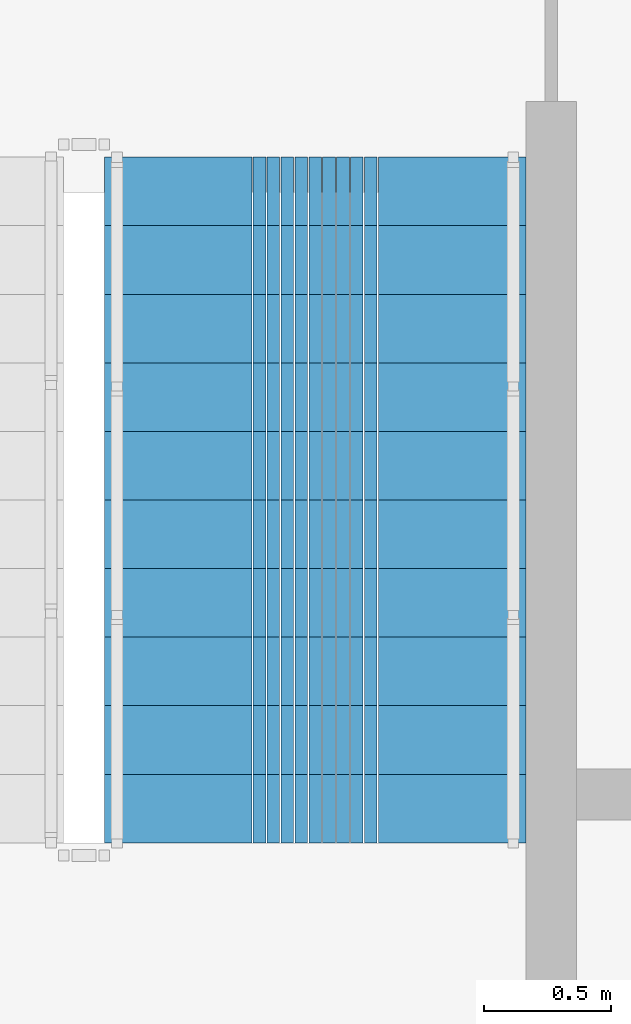
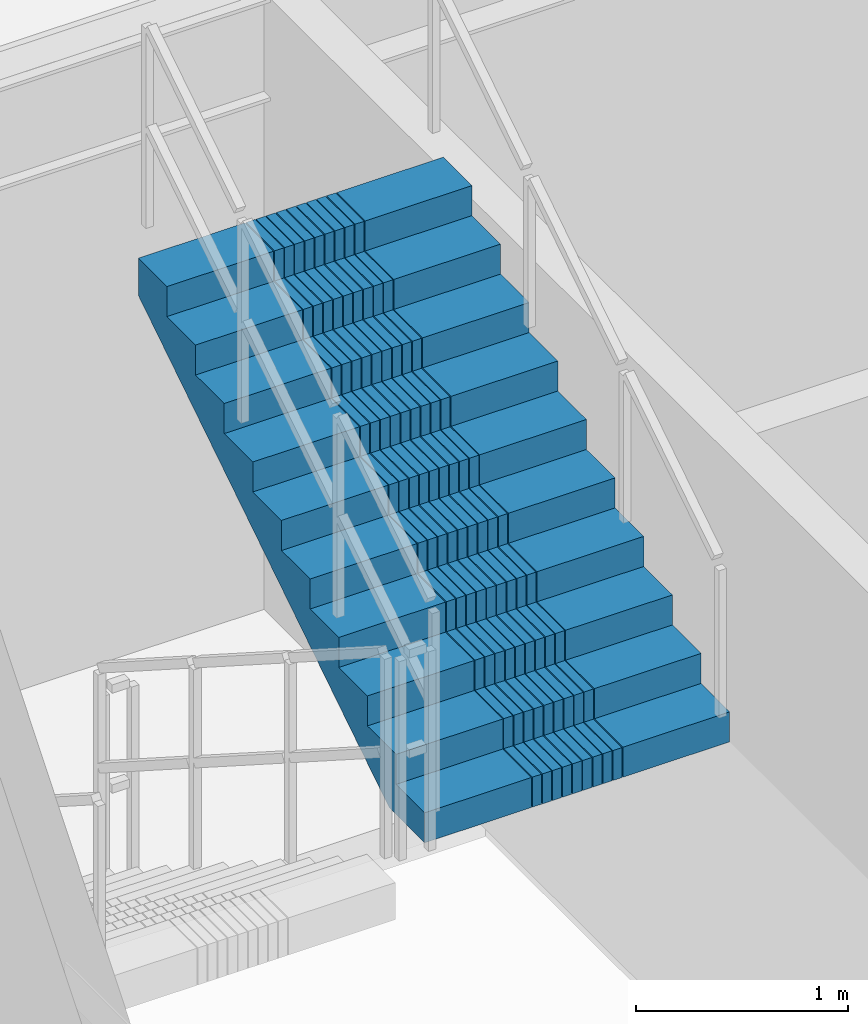
# One storey, part 18 of 21: 1 stair flight, 1 element without a shape of its own.
"""IFC4 building model written with IfcOpenShell, lengths in metres."""

from ifc_helpers import new_model, si_unit, direction, frame, origin, place, context, subcontext, project, spatial, polyline, outline, extrude, material, type_object, element, aggregate, save


model = new_model("IFC4")

# Units and contexts
model_context = context("Model", 3, precision=1e-05, world=origin(), true_north=direction((0.0, 1.0)))
body_context = subcontext(model_context, "Body", "Model", "MODEL_VIEW")
ifc_project = project(units=[si_unit("LENGTHUNIT", "METRE"), si_unit("AREAUNIT", "SQUARE_METRE"), si_unit("VOLUMEUNIT", "CUBIC_METRE"), si_unit("PLANEANGLEUNIT", "RADIAN"), si_unit("MASSUNIT", "GRAM", prefix="KILO")], contexts=[model_context])

# Site, building, storey
site_placement = place(None, origin())
site = spatial("IfcSite", under=ifc_project, at=site_placement, CompositionType="ELEMENT")
building_placement = place(site_placement, origin())
building = spatial("IfcBuilding", under=site, at=building_placement, Name="Saelheon Loggia Tower", CompositionType="ELEMENT")
storey_placement = place(building_placement, frame((0.0, 0.0, 259.800048828125)))
storey = spatial("IfcBuildingStorey", under=building, at=storey_placement, Name="CR3", CompositionType="ELEMENT", Elevation=259.800048828125)

# Stair, stair flight
ifc_material = material(Name="Concrete C40/50", Category="concrete")
stair_type = type_object("IfcStairType", Name="Stair_Plant_Crown", PredefinedType="HALF_TURN_STAIR", material=ifc_material)
stair_placement = place(storey_placement, origin())
stair = element("IfcStair", 1, at=stair_placement, inside=storey, type_object=stair_type, Name="CR3 Crown Plant Stair ST5", PredefinedType="HALF_TURN_STAIR")
stair_flight_type = type_object("IfcStairFlightType", Name="StairFlight_Crown_1520", PredefinedType="STRAIGHT", material=ifc_material)
stair_flight_placement = place(storey_placement, frame((34.5, 20.8701171875, 1.89990234375), z_axis=(0.0, 0.0, 1.0), x_axis=(0.0, 1.0, 0.0)))
stair_flight = element("IfcStairFlight", 2, at=stair_flight_placement, type_object=stair_flight_type, Name="ST5 flight 2", NumberOfRisers=11, NumberOfTreads=10, PredefinedType="STRAIGHT", RiserHeight=0.172727273, TreadLength=0.27, context=body_context, shape_type="SweptSolid", body=[
    extrude(outline(polyline([(0.0, 0.0), (0.0, 0.172607421875), (0.27001953125, 0.172607421875), (0.27001953125, 0.345458984375), (0.5400390625, 0.345458984375), (0.5400390625, 0.51806640625), (0.81005859375, 0.51806640625), (0.81005859375, 0.69091796875), (1.080078125, 0.69091796875), (1.080078125, 0.863525390625), (1.35009765625, 0.863525390625), (1.35009765625, 1.036376953125), (1.6201171875, 1.036376953125), (1.6201171875, 1.208984375), (1.889892578125, 1.208984375), (1.889892578125, 1.3818359375), (2.159912109375, 1.3818359375), (2.159912109375, 1.554443359375), (2.429931640625, 1.554443359375), (2.429931640625, 1.727294921875), (2.699951171875, 1.727294921875), (2.699951171875, 1.89990234375), (2.699951171875, 1.513671875), (0.333984375, 0.0), (0.0, 0.0)])), frame((0.0, -0.2490234375, 0.0), z_axis=(0.0, -1.0, 0.0), x_axis=(1.0, 0.0, 0.0)), (0.0, 0.0, 1.0), 0.5810546875),
    extrude(outline(polyline([(0.0, 0.0), (0.0, 0.172607421875), (0.27001953125, 0.172607421875), (0.27001953125, 0.345458984375), (0.5400390625, 0.345458984375), (0.5400390625, 0.51806640625), (0.81005859375, 0.51806640625), (0.81005859375, 0.69091796875), (1.080078125, 0.69091796875), (1.080078125, 0.863525390625), (1.35009765625, 0.863525390625), (1.35009765625, 1.036376953125), (1.6201171875, 1.036376953125), (1.6201171875, 1.208984375), (1.889892578125, 1.208984375), (1.889892578125, 1.3818359375), (2.159912109375, 1.3818359375), (2.159912109375, 1.554443359375), (2.429931640625, 1.554443359375), (2.429931640625, 1.727294921875), (2.699951171875, 1.727294921875), (2.699951171875, 1.89990234375), (2.699951171875, 1.513671875), (0.333984375, 0.0), (0.0, 0.0)])), frame((0.0, -0.194091796875, 0.0), z_axis=(0.0, -1.0, 0.0), x_axis=(1.0, 0.0, 0.0)), (0.0, 0.0, 1.0), 0.0498046875),
    extrude(outline(polyline([(0.0, 0.0), (0.0, 0.172607421875), (0.27001953125, 0.172607421875), (0.27001953125, 0.345458984375), (0.5400390625, 0.345458984375), (0.5400390625, 0.51806640625), (0.81005859375, 0.51806640625), (0.81005859375, 0.69091796875), (1.080078125, 0.69091796875), (1.080078125, 0.863525390625), (1.35009765625, 0.863525390625), (1.35009765625, 1.036376953125), (1.6201171875, 1.036376953125), (1.6201171875, 1.208984375), (1.889892578125, 1.208984375), (1.889892578125, 1.3818359375), (2.159912109375, 1.3818359375), (2.159912109375, 1.554443359375), (2.429931640625, 1.554443359375), (2.429931640625, 1.727294921875), (2.699951171875, 1.727294921875), (2.699951171875, 1.89990234375), (2.699951171875, 1.513671875), (0.333984375, 0.0), (0.0, 0.0)])), frame((0.0, -0.139404296875, 0.0), z_axis=(0.0, -1.0, 0.0), x_axis=(1.0, 0.0, 0.0)), (0.0, 0.0, 1.0), 0.0498046875),
    extrude(outline(polyline([(0.0, 0.0), (0.0, 0.172607421875), (0.27001953125, 0.172607421875), (0.27001953125, 0.345458984375), (0.5400390625, 0.345458984375), (0.5400390625, 0.51806640625), (0.81005859375, 0.51806640625), (0.81005859375, 0.69091796875), (1.080078125, 0.69091796875), (1.080078125, 0.863525390625), (1.35009765625, 0.863525390625), (1.35009765625, 1.036376953125), (1.6201171875, 1.036376953125), (1.6201171875, 1.208984375), (1.889892578125, 1.208984375), (1.889892578125, 1.3818359375), (2.159912109375, 1.3818359375), (2.159912109375, 1.554443359375), (2.429931640625, 1.554443359375), (2.429931640625, 1.727294921875), (2.699951171875, 1.727294921875), (2.699951171875, 1.89990234375), (2.699951171875, 1.513671875), (0.333984375, 0.0), (0.0, 0.0)])), frame((0.0, -0.084716796875, 0.0), z_axis=(0.0, -1.0, 0.0), x_axis=(1.0, 0.0, 0.0)), (0.0, 0.0, 1.0), 0.0498046875),
    extrude(outline(polyline([(0.0, 0.0), (0.0, 0.172607421875), (0.27001953125, 0.172607421875), (0.27001953125, 0.345458984375), (0.5400390625, 0.345458984375), (0.5400390625, 0.51806640625), (0.81005859375, 0.51806640625), (0.81005859375, 0.69091796875), (1.080078125, 0.69091796875), (1.080078125, 0.863525390625), (1.35009765625, 0.863525390625), (1.35009765625, 1.036376953125), (1.6201171875, 1.036376953125), (1.6201171875, 1.208984375), (1.889892578125, 1.208984375), (1.889892578125, 1.3818359375), (2.159912109375, 1.3818359375), (2.159912109375, 1.554443359375), (2.429931640625, 1.554443359375), (2.429931640625, 1.727294921875), (2.699951171875, 1.727294921875), (2.699951171875, 1.89990234375), (2.699951171875, 1.513671875), (0.333984375, 0.0), (0.0, 0.0)])), frame((0.0, -0.02978515625, 0.0), z_axis=(0.0, -1.0, 0.0), x_axis=(1.0, 0.0, 0.0)), (0.0, 0.0, 1.0), 0.0498046875),
    extrude(outline(polyline([(0.0, 0.0), (0.0, 0.172607421875), (0.27001953125, 0.172607421875), (0.27001953125, 0.345458984375), (0.5400390625, 0.345458984375), (0.5400390625, 0.51806640625), (0.81005859375, 0.51806640625), (0.81005859375, 0.69091796875), (1.080078125, 0.69091796875), (1.080078125, 0.863525390625), (1.35009765625, 0.863525390625), (1.35009765625, 1.036376953125), (1.6201171875, 1.036376953125), (1.6201171875, 1.208984375), (1.889892578125, 1.208984375), (1.889892578125, 1.3818359375), (2.159912109375, 1.3818359375), (2.159912109375, 1.554443359375), (2.429931640625, 1.554443359375), (2.429931640625, 1.727294921875), (2.699951171875, 1.727294921875), (2.699951171875, 1.89990234375), (2.699951171875, 1.513671875), (0.333984375, 0.0), (0.0, 0.0)])), frame((0.0, 0.02490234375, 0.0), z_axis=(0.0, -1.0, 0.0), x_axis=(1.0, 0.0, 0.0)), (0.0, 0.0, 1.0), 0.0498046875),
    extrude(outline(polyline([(0.0, 0.0), (0.0, 0.172607421875), (0.27001953125, 0.172607421875), (0.27001953125, 0.345458984375), (0.5400390625, 0.345458984375), (0.5400390625, 0.51806640625), (0.81005859375, 0.51806640625), (0.81005859375, 0.69091796875), (1.080078125, 0.69091796875), (1.080078125, 0.863525390625), (1.35009765625, 0.863525390625), (1.35009765625, 1.036376953125), (1.6201171875, 1.036376953125), (1.6201171875, 1.208984375), (1.889892578125, 1.208984375), (1.889892578125, 1.3818359375), (2.159912109375, 1.3818359375), (2.159912109375, 1.554443359375), (2.429931640625, 1.554443359375), (2.429931640625, 1.727294921875), (2.699951171875, 1.727294921875), (2.699951171875, 1.89990234375), (2.699951171875, 1.513671875), (0.333984375, 0.0), (0.0, 0.0)])), frame((0.0, 0.07958984375, 0.0), z_axis=(0.0, -1.0, 0.0), x_axis=(1.0, 0.0, 0.0)), (0.0, 0.0, 1.0), 0.0498046875),
    extrude(outline(polyline([(0.0, 0.0), (0.0, 0.172607421875), (0.27001953125, 0.172607421875), (0.27001953125, 0.345458984375), (0.5400390625, 0.345458984375), (0.5400390625, 0.51806640625), (0.81005859375, 0.51806640625), (0.81005859375, 0.69091796875), (1.080078125, 0.69091796875), (1.080078125, 0.863525390625), (1.35009765625, 0.863525390625), (1.35009765625, 1.036376953125), (1.6201171875, 1.036376953125), (1.6201171875, 1.208984375), (1.889892578125, 1.208984375), (1.889892578125, 1.3818359375), (2.159912109375, 1.3818359375), (2.159912109375, 1.554443359375), (2.429931640625, 1.554443359375), (2.429931640625, 1.727294921875), (2.699951171875, 1.727294921875), (2.699951171875, 1.89990234375), (2.699951171875, 1.513671875), (0.333984375, 0.0), (0.0, 0.0)])), frame((0.0, 0.134521484375, 0.0), z_axis=(0.0, -1.0, 0.0), x_axis=(1.0, 0.0, 0.0)), (0.0, 0.0, 1.0), 0.0498046875),
    extrude(outline(polyline([(0.0, 0.0), (0.0, 0.172607421875), (0.27001953125, 0.172607421875), (0.27001953125, 0.345458984375), (0.5400390625, 0.345458984375), (0.5400390625, 0.51806640625), (0.81005859375, 0.51806640625), (0.81005859375, 0.69091796875), (1.080078125, 0.69091796875), (1.080078125, 0.863525390625), (1.35009765625, 0.863525390625), (1.35009765625, 1.036376953125), (1.6201171875, 1.036376953125), (1.6201171875, 1.208984375), (1.889892578125, 1.208984375), (1.889892578125, 1.3818359375), (2.159912109375, 1.3818359375), (2.159912109375, 1.554443359375), (2.429931640625, 1.554443359375), (2.429931640625, 1.727294921875), (2.699951171875, 1.727294921875), (2.699951171875, 1.89990234375), (2.699951171875, 1.513671875), (0.333984375, 0.0), (0.0, 0.0)])), frame((0.0, 0.189208984375, 0.0), z_axis=(0.0, -1.0, 0.0), x_axis=(1.0, 0.0, 0.0)), (0.0, 0.0, 1.0), 0.0498046875),
    extrude(outline(polyline([(0.0, 0.0), (0.0, 0.172607421875), (0.27001953125, 0.172607421875), (0.27001953125, 0.345458984375), (0.5400390625, 0.345458984375), (0.5400390625, 0.51806640625), (0.81005859375, 0.51806640625), (0.81005859375, 0.69091796875), (1.080078125, 0.69091796875), (1.080078125, 0.863525390625), (1.35009765625, 0.863525390625), (1.35009765625, 1.036376953125), (1.6201171875, 1.036376953125), (1.6201171875, 1.208984375), (1.889892578125, 1.208984375), (1.889892578125, 1.3818359375), (2.159912109375, 1.3818359375), (2.159912109375, 1.554443359375), (2.429931640625, 1.554443359375), (2.429931640625, 1.727294921875), (2.699951171875, 1.727294921875), (2.699951171875, 1.89990234375), (2.699951171875, 1.513671875), (0.333984375, 0.0), (0.0, 0.0)])), frame((0.0, 0.243896484375, 0.0), z_axis=(0.0, -1.0, 0.0), x_axis=(1.0, 0.0, 0.0)), (0.0, 0.0, 1.0), 0.0498046875),
    extrude(outline(polyline([(0.0, 0.0), (0.0, 0.172607421875), (0.27001953125, 0.172607421875), (0.27001953125, 0.345458984375), (0.5400390625, 0.345458984375), (0.5400390625, 0.51806640625), (0.81005859375, 0.51806640625), (0.81005859375, 0.69091796875), (1.080078125, 0.69091796875), (1.080078125, 0.863525390625), (1.35009765625, 0.863525390625), (1.35009765625, 1.036376953125), (1.6201171875, 1.036376953125), (1.6201171875, 1.208984375), (1.889892578125, 1.208984375), (1.889892578125, 1.3818359375), (2.159912109375, 1.3818359375), (2.159912109375, 1.554443359375), (2.429931640625, 1.554443359375), (2.429931640625, 1.727294921875), (2.699951171875, 1.727294921875), (2.699951171875, 1.89990234375), (2.699951171875, 1.513671875), (0.333984375, 0.0), (0.0, 0.0)])), frame((0.0, 0.830078125, 0.0), z_axis=(0.0, -1.0, 0.0), x_axis=(1.0, 0.0, 0.0)), (0.0, 0.0, 1.0), 0.5810546875),
])
aggregate(stair, [stair_flight])

save(model, "model.ifc")
